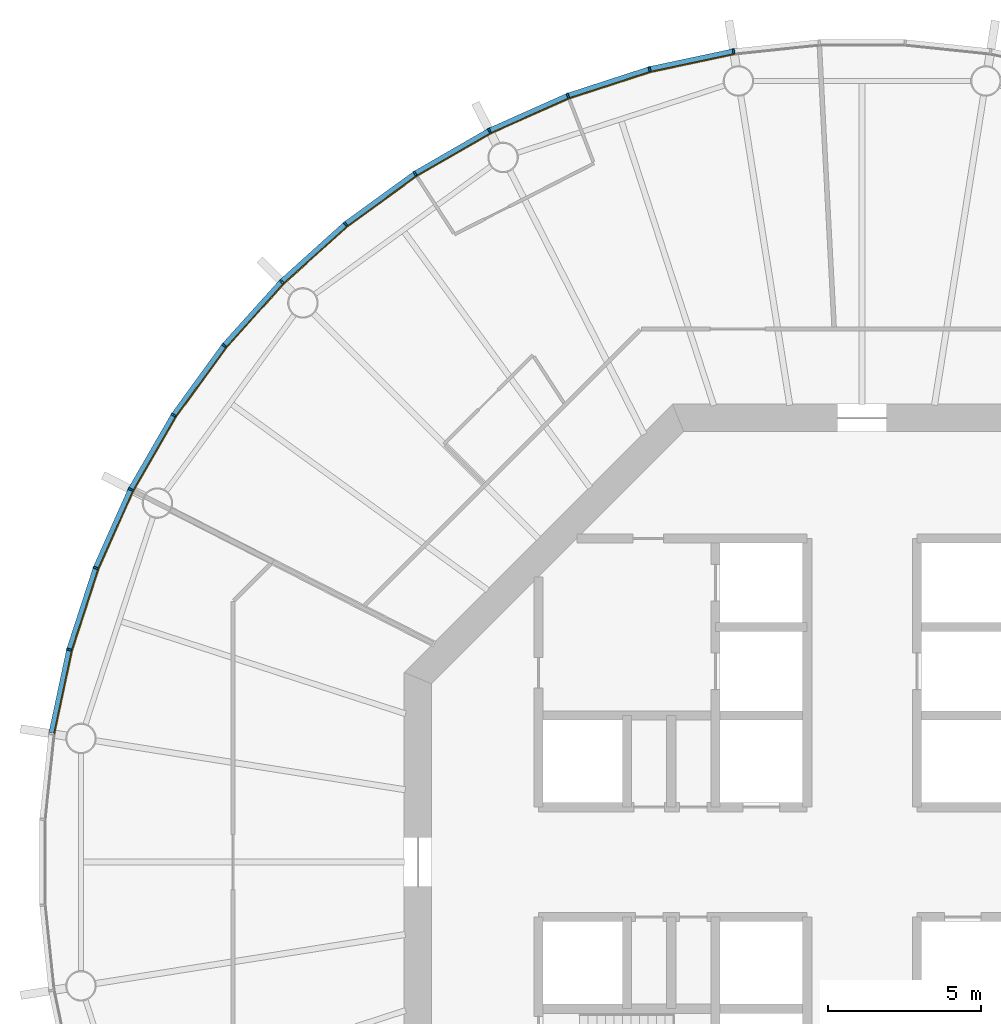
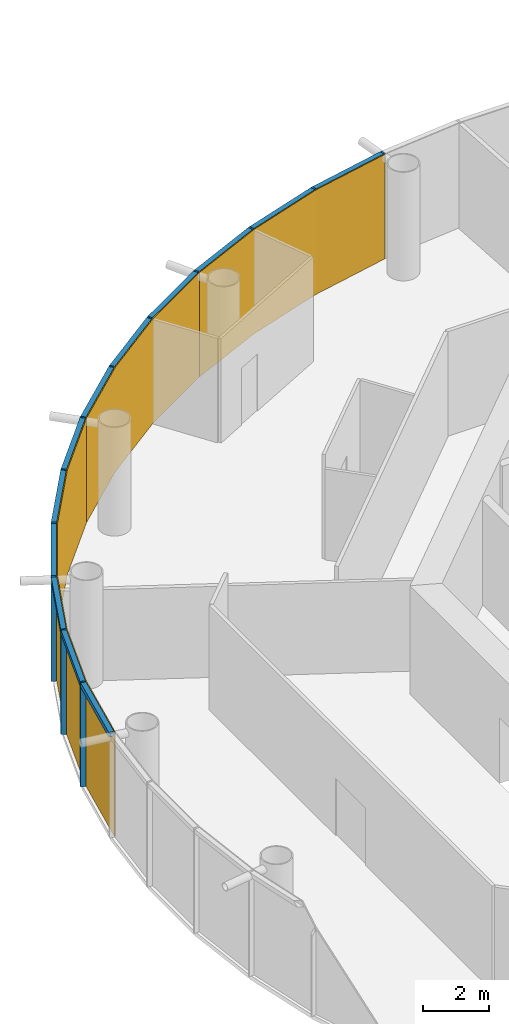
# One storey, part 9 of 12: 24 members, 4 curtain walls.
"""IFC4 building model written with IfcOpenShell, lengths in metres."""

from ifc_helpers import new_model, si_unit, direction, frame, origin, origin_2d, place, context, subcontext, project, spatial, polyline, rectangle, outline, extrude, material, layer, layer_set, material_profile, profile_set, type_object, element, aggregate, save


model = new_model("IFC4")

# Units and contexts
model_context = context("Model", 3, precision=1e-05, world=origin(), true_north=direction((0.0, 1.0)))
body_context = subcontext(model_context, "Body", "Model", "MODEL_VIEW")
ifc_project = project(units=[si_unit("LENGTHUNIT", "METRE"), si_unit("AREAUNIT", "SQUARE_METRE"), si_unit("VOLUMEUNIT", "CUBIC_METRE"), si_unit("PLANEANGLEUNIT", "RADIAN"), si_unit("MASSUNIT", "GRAM", prefix="KILO")], contexts=[model_context])

# Member
ifc_material_1 = material(Name="Anodised aluminium", Category="aluminium")
ifc_material_profile_1 = material_profile(ifc_material_1, rectangle(XDim=0.06005859375, YDim=0.169921875, at=origin_2d()), Name="Mullion 60 x 170 mm anodised aluminium")
ifc_profile_set_1 = profile_set([ifc_material_profile_1], Name="Anodised aluminium")
member_type_1 = type_object("IfcMemberType", Name="Mullion 60 x 170 mm anodised aluminium", PredefinedType="MULLION", material=ifc_profile_set_1)
site_placement = place(None, origin())
building_placement = place(site_placement, origin())
storey_placement = place(building_placement, frame((0.0, 0.0, 246.0)))
member_1_placement = place(storey_placement, frame((85.794189453125, 106.553955078125, 0.0), z_axis=(0.0, 0.0, 1.0), x_axis=(-0.987688340595, -0.15643446504, 0.0)))
member_1 = element("IfcMember", 1, at=member_1_placement, type_object=member_type_1, Name="MULLION L56-15", PredefinedType="MULLION", context=body_context, shape_type="SweptSolid", body=[
    extrude(rectangle(XDim=0.06005859375, YDim=0.169921875, at=origin_2d()), origin(), (0.0, 0.0, 1.0), 3.85009765625),
])

member_2_placement = place(storey_placement, frame((83.041748046875, 105.968994140625, 0.0), z_axis=(0.0, 0.0, 1.0), x_axis=(-0.965925826289, -0.258819045103, 0.0)))
member_2 = element("IfcMember", 2, at=member_2_placement, type_object=member_type_1, Name="MULLION L56-16", PredefinedType="MULLION", context=body_context, shape_type="SweptSolid", body=[
    extrude(rectangle(XDim=0.06005859375, YDim=0.169921875, at=origin_2d()), origin(), (0.0, 0.0, 1.0), 3.85009765625),
])

member_3_placement = place(storey_placement, frame((80.365234375, 105.099365234375, 0.0), z_axis=(0.0, 0.0, 1.0), x_axis=(-0.933580426497, -0.358367949545, 0.0)))
member_3 = element("IfcMember", 3, at=member_3_placement, type_object=member_type_1, Name="MULLION L56-17", PredefinedType="MULLION", context=body_context, shape_type="SweptSolid", body=[
    extrude(rectangle(XDim=0.06005859375, YDim=0.169921875, at=origin_2d()), origin(), (0.0, 0.0, 1.0), 3.85009765625),
])

member_4_placement = place(storey_placement, frame((77.79443359375, 103.95458984375, 0.0), z_axis=(0.0, 0.0, 1.0), x_axis=(-0.891006524188, -0.45399049974, 0.0)))
member_4 = element("IfcMember", 4, at=member_4_placement, type_object=member_type_1, Name="MULLION L56-18", PredefinedType="MULLION", context=body_context, shape_type="SweptSolid", body=[
    extrude(rectangle(XDim=0.06005859375, YDim=0.169921875, at=origin_2d()), origin(), (0.0, 0.0, 1.0), 3.85009765625),
])

member_5_placement = place(storey_placement, frame((75.357421875, 102.547607421875, 0.0), z_axis=(0.0, 0.0, 1.0), x_axis=(-0.838670567945, -0.544639035015, 0.0)))
member_5 = element("IfcMember", 5, at=member_5_placement, type_object=member_type_1, Name="MULLION L56-19", PredefinedType="MULLION", context=body_context, shape_type="SweptSolid", body=[
    extrude(rectangle(XDim=0.06005859375, YDim=0.169921875, at=origin_2d()), origin(), (0.0, 0.0, 1.0), 3.85009765625),
])

member_6_placement = place(storey_placement, frame((73.080810546875, 100.8935546875, 0.0), z_axis=(0.0, 0.0, 1.0), x_axis=(-0.777145961457, -0.62932039105, 0.0)))
member_6 = element("IfcMember", 6, at=member_6_placement, type_object=member_type_1, Name="MULLION L56-20", PredefinedType="MULLION", context=body_context, shape_type="SweptSolid", body=[
    extrude(rectangle(XDim=0.06005859375, YDim=0.169921875, at=origin_2d()), origin(), (0.0, 0.0, 1.0), 3.85009765625),
])

member_7_placement = place(storey_placement, frame((70.989501953125, 99.010498046875, 0.0), z_axis=(0.0, 0.0, 1.0), x_axis=(-0.707106781187, -0.707106781187, 0.0)))
member_7 = element("IfcMember", 7, at=member_7_placement, type_object=member_type_1, Name="MULLION L56-21", PredefinedType="MULLION", context=body_context, shape_type="SweptSolid", body=[
    extrude(rectangle(XDim=0.06005859375, YDim=0.169921875, at=origin_2d()), origin(), (0.0, 0.0, 1.0), 3.85009765625),
])

member_8_placement = place(storey_placement, frame((69.1064453125, 96.919189453125, 0.0), z_axis=(0.0, 0.0, 1.0), x_axis=(-0.62932039105, -0.777145961457, 0.0)))
member_8 = element("IfcMember", 8, at=member_8_placement, type_object=member_type_1, Name="MULLION L56-22", PredefinedType="MULLION", context=body_context, shape_type="SweptSolid", body=[
    extrude(rectangle(XDim=0.06005859375, YDim=0.169921875, at=origin_2d()), origin(), (0.0, 0.0, 1.0), 3.85009765625),
])

member_9_placement = place(storey_placement, frame((67.452392578125, 94.642578125, 0.0), z_axis=(0.0, 0.0, 1.0), x_axis=(-0.544639035015, -0.838670567945, 0.0)))
member_9 = element("IfcMember", 9, at=member_9_placement, type_object=member_type_1, Name="MULLION L56-23", PredefinedType="MULLION", context=body_context, shape_type="SweptSolid", body=[
    extrude(rectangle(XDim=0.06005859375, YDim=0.169921875, at=origin_2d()), origin(), (0.0, 0.0, 1.0), 3.85009765625),
])

member_10_placement = place(storey_placement, frame((66.04541015625, 92.20556640625, 0.0), z_axis=(0.0, 0.0, 1.0), x_axis=(-0.45399049974, -0.891006524188, 0.0)))
member_10 = element("IfcMember", 10, at=member_10_placement, type_object=member_type_1, Name="MULLION L56-24", PredefinedType="MULLION", context=body_context, shape_type="SweptSolid", body=[
    extrude(rectangle(XDim=0.06005859375, YDim=0.169921875, at=origin_2d()), origin(), (0.0, 0.0, 1.0), 3.85009765625),
])

member_11_placement = place(storey_placement, frame((64.900634765625, 89.634765625, 0.0), z_axis=(0.0, 0.0, 1.0), x_axis=(-0.358367949545, -0.933580426497, 0.0)))
member_11 = element("IfcMember", 11, at=member_11_placement, type_object=member_type_1, Name="MULLION L56-25", PredefinedType="MULLION", context=body_context, shape_type="SweptSolid", body=[
    extrude(rectangle(XDim=0.06005859375, YDim=0.169921875, at=origin_2d()), origin(), (0.0, 0.0, 1.0), 3.85009765625),
])

member_12_placement = place(storey_placement, frame((64.031005859375, 86.958251953125, 0.0), z_axis=(0.0, 0.0, 1.0), x_axis=(-0.258819045103, -0.965925826289, 0.0)))
member_12 = element("IfcMember", 12, at=member_12_placement, type_object=member_type_1, Name="MULLION L56-26", PredefinedType="MULLION", context=body_context, shape_type="SweptSolid", body=[
    extrude(rectangle(XDim=0.06005859375, YDim=0.169921875, at=origin_2d()), origin(), (0.0, 0.0, 1.0), 3.85009765625),
])

ifc_material_2 = material(Name="Anodised aluminium", Category="aluminium")
ifc_material_profile_2 = material_profile(ifc_material_2, rectangle(XDim=0.169921875, YDim=0.1650390625, at=origin_2d()), Name="Transom 165 x 170 mm anodised aluminium")
ifc_profile_set_2 = profile_set([ifc_material_profile_2], Name="Anodised aluminium")
member_type_2 = type_object("IfcMemberType", Name="Transom 165 x 170 mm anodised aluminium", PredefinedType="USERDEFINED", material=ifc_profile_set_2)
member_13_placement = place(storey_placement, frame((85.760498046875, 106.546875, 3.767578125), z_axis=(-0.97814212115, -0.207937468562, 0.0), x_axis=(0.207937468562, -0.97814212115, 0.0)))
member_13 = element("IfcMember", 13, at=member_13_placement, type_object=member_type_2, Name="TRANSOM L56-15", ObjectType="TRANSOM", PredefinedType="USERDEFINED", context=body_context, shape_type="SweptSolid", body=[
    extrude(rectangle(XDim=0.169921875, YDim=0.1650390625, at=origin_2d()), origin(), (0.0, 0.0, 1.0), 2.7451171875),
])

member_14_placement = place(storey_placement, frame((83.0087890625, 105.95849609375, 3.767578125), z_axis=(-0.951048445774, -0.309041831781, 0.0), x_axis=(0.309041831781, -0.951048445774, 0.0)))
member_14 = element("IfcMember", 14, at=member_14_placement, type_object=member_type_2, Name="TRANSOM L56-16", ObjectType="TRANSOM", PredefinedType="USERDEFINED", context=body_context, shape_type="SweptSolid", body=[
    extrude(rectangle(XDim=0.169921875, YDim=0.1650390625, at=origin_2d()), origin(), (0.0, 0.0, 1.0), 2.7451171875),
])

member_15_placement = place(storey_placement, frame((80.333740234375, 105.08544921875, 3.767578125), z_axis=(-0.913525267704, -0.406781987391, 0.0), x_axis=(0.406781987391, -0.913525267704, 0.0)))
member_15 = element("IfcMember", 15, at=member_15_placement, type_object=member_type_2, Name="TRANSOM L56-17", ObjectType="TRANSOM", PredefinedType="USERDEFINED", context=body_context, shape_type="SweptSolid", body=[
    extrude(rectangle(XDim=0.169921875, YDim=0.1650390625, at=origin_2d()), origin(), (0.0, 0.0, 1.0), 2.7451171875),
])

member_16_placement = place(storey_placement, frame((77.7646484375, 103.9375, 3.767578125), z_axis=(-0.866034527326, -0.49998419723, 0.0), x_axis=(0.49998419723, -0.866034527326, 0.0)))
member_16 = element("IfcMember", 16, at=member_16_placement, type_object=member_type_2, Name="TRANSOM L56-18", ObjectType="TRANSOM", PredefinedType="USERDEFINED", context=body_context, shape_type="SweptSolid", body=[
    extrude(rectangle(XDim=0.169921875, YDim=0.1650390625, at=origin_2d()), origin(), (0.0, 0.0, 1.0), 2.7451171875),
])

member_17_placement = place(storey_placement, frame((75.329345703125, 102.527587890625, 3.767578125), z_axis=(-0.808959086484, -0.587864947412, 0.0), x_axis=(0.587864947412, -0.808959086484, 0.0)))
member_17 = element("IfcMember", 17, at=member_17_placement, type_object=member_type_2, Name="TRANSOM L56-19", ObjectType="TRANSOM", PredefinedType="USERDEFINED", context=body_context, shape_type="SweptSolid", body=[
    extrude(rectangle(XDim=0.169921875, YDim=0.1650390625, at=origin_2d()), origin(), (0.0, 0.0, 1.0), 2.7451171875),
])

member_18_placement = place(storey_placement, frame((73.054931640625, 100.87060546875, 3.767578125), z_axis=(-0.743134927907, -0.669141598561, 0.0), x_axis=(0.669141598561, -0.743134927907, 0.0)))
member_18 = element("IfcMember", 18, at=member_18_placement, type_object=member_type_2, Name="TRANSOM L56-20", ObjectType="TRANSOM", PredefinedType="USERDEFINED", context=body_context, shape_type="SweptSolid", body=[
    extrude(rectangle(XDim=0.169921875, YDim=0.1650390625, at=origin_2d()), origin(), (0.0, 0.0, 1.0), 2.7451171875),
])

member_19_placement = place(storey_placement, frame((70.96630859375, 98.985107421875, 3.767578125), z_axis=(-0.669141598561, -0.743134927907, 0.0), x_axis=(0.743134927907, -0.669141598561, 0.0)))
member_19 = element("IfcMember", 19, at=member_19_placement, type_object=member_type_2, Name="TRANSOM L56-21", ObjectType="TRANSOM", PredefinedType="USERDEFINED", context=body_context, shape_type="SweptSolid", body=[
    extrude(rectangle(XDim=0.169921875, YDim=0.1650390625, at=origin_2d()), origin(), (0.0, 0.0, 1.0), 2.7451171875),
])

member_20_placement = place(storey_placement, frame((69.086181640625, 96.891357421875, 3.767578125), z_axis=(-0.587864947412, -0.808959086484, 0.0), x_axis=(0.808959086484, -0.587864947412, 0.0)))
member_20 = element("IfcMember", 20, at=member_20_placement, type_object=member_type_2, Name="TRANSOM L56-22", ObjectType="TRANSOM", PredefinedType="USERDEFINED", context=body_context, shape_type="SweptSolid", body=[
    extrude(rectangle(XDim=0.169921875, YDim=0.1650390625, at=origin_2d()), origin(), (0.0, 0.0, 1.0), 2.7451171875),
])

member_21_placement = place(storey_placement, frame((67.43505859375, 94.61279296875, 3.767578125), z_axis=(-0.49998419723, -0.866034527326, 0.0), x_axis=(0.866034527326, -0.49998419723, 0.0)))
member_21 = element("IfcMember", 21, at=member_21_placement, type_object=member_type_2, Name="TRANSOM L56-23", ObjectType="TRANSOM", PredefinedType="USERDEFINED", context=body_context, shape_type="SweptSolid", body=[
    extrude(rectangle(XDim=0.169921875, YDim=0.1650390625, at=origin_2d()), origin(), (0.0, 0.0, 1.0), 2.7451171875),
])

member_22_placement = place(storey_placement, frame((66.03125, 92.174072265625, 3.767578125), z_axis=(-0.406781987391, -0.913525267704, 0.0), x_axis=(0.913525267704, -0.406781987391, 0.0)))
member_22 = element("IfcMember", 22, at=member_22_placement, type_object=member_type_2, Name="TRANSOM L56-24", ObjectType="TRANSOM", PredefinedType="USERDEFINED", context=body_context, shape_type="SweptSolid", body=[
    extrude(rectangle(XDim=0.169921875, YDim=0.1650390625, at=origin_2d()), origin(), (0.0, 0.0, 1.0), 2.7451171875),
])

member_23_placement = place(storey_placement, frame((64.889892578125, 89.60205078125, 3.767578125), z_axis=(-0.309041831781, -0.951048445774, 0.0), x_axis=(0.951048445774, -0.309041831781, 0.0)))
member_23 = element("IfcMember", 23, at=member_23_placement, type_object=member_type_2, Name="TRANSOM L56-25", ObjectType="TRANSOM", PredefinedType="USERDEFINED", context=body_context, shape_type="SweptSolid", body=[
    extrude(rectangle(XDim=0.169921875, YDim=0.1650390625, at=origin_2d()), origin(), (0.0, 0.0, 1.0), 2.7451171875),
])

member_24_placement = place(storey_placement, frame((64.02392578125, 86.924560546875, 3.767578125), z_axis=(-0.207937468562, -0.97814212115, 0.0), x_axis=(0.97814212115, -0.207937468562, 0.0)))
member_24 = element("IfcMember", 24, at=member_24_placement, type_object=member_type_2, Name="TRANSOM L56-26", ObjectType="TRANSOM", PredefinedType="USERDEFINED", context=body_context, shape_type="SweptSolid", body=[
    extrude(rectangle(XDim=0.169921875, YDim=0.1650390625, at=origin_2d()), origin(), (0.0, 0.0, 1.0), 2.7451171875),
])

# Site, building, storey
site = spatial("IfcSite", under=ifc_project, at=site_placement, CompositionType="ELEMENT")
building = spatial("IfcBuilding", under=site, at=building_placement, Name="Entoto Ring Tower", CompositionType="ELEMENT")
storey = spatial("IfcBuildingStorey", under=building, at=storey_placement, Name="L56", CompositionType="ELEMENT", Elevation=246.0)

# Curtain wall
ifc_material_3 = material(Name="Clear low-iron glass", Category="glass")
ifc_layer = layer(ifc_material_3, 0.031982421875)
ifc_layer_set = layer_set([ifc_layer], Name="Clear low-iron glass")
curtain_wall_type = type_object("IfcCurtainWallType", Name="Curtain wall system CW4 glazing 32 mm", PredefinedType="NOTDEFINED", material=ifc_layer_set)
curtain_wall_1_placement = place(storey_placement, origin())
curtain_wall_1 = element("IfcCurtainWall", 25, at=curtain_wall_1_placement, inside=storey, type_object=curtain_wall_type, Name="CW4 L56-06", PredefinedType="NOTDEFINED", context=body_context, shape_type="SweptSolid", body=[
    extrude(outline(polyline([(85.8076171875, 106.469970703125), (83.063720703125, 105.88671875), (80.395751953125, 105.02001953125), (77.8330078125, 103.87890625), (77.84765625, 103.850341796875), (80.4072265625, 104.989990234375), (83.072021484375, 105.85595703125), (85.8125, 106.4384765625), (85.8076171875, 106.469970703125)])), origin(), (0.0, 0.0, 1.0), 3.85009765625),
])

aggregate(curtain_wall_1, [member_1, member_2, member_3, member_13, member_14, member_15])

curtain_wall_2_placement = place(storey_placement, origin())
curtain_wall_2 = element("IfcCurtainWall", 26, at=curtain_wall_2_placement, inside=storey, type_object=curtain_wall_type, Name="CW4 L56-07", PredefinedType="NOTDEFINED", context=body_context, shape_type="SweptSolid", body=[
    extrude(outline(polyline([(77.8330078125, 103.87890625), (75.403564453125, 102.476318359375), (73.13427734375, 100.827392578125), (71.049560546875, 98.950439453125), (71.072265625, 98.927734375), (73.154296875, 100.802490234375), (75.421142578125, 102.449462890625), (77.84765625, 103.850341796875), (77.8330078125, 103.87890625)])), origin(), (0.0, 0.0, 1.0), 3.85009765625),
])

aggregate(curtain_wall_2, [member_4, member_5, member_6, member_16, member_17, member_18])

curtain_wall_3_placement = place(storey_placement, origin())
curtain_wall_3 = element("IfcCurtainWall", 27, at=curtain_wall_3_placement, inside=storey, type_object=curtain_wall_type, Name="CW4 L56-08", PredefinedType="NOTDEFINED", context=body_context, shape_type="SweptSolid", body=[
    extrude(outline(polyline([(71.049560546875, 98.950439453125), (69.172607421875, 96.86572265625), (67.523681640625, 94.596435546875), (66.12109375, 92.1669921875), (66.149658203125, 92.15234375), (67.550537109375, 94.578857421875), (69.197509765625, 96.845703125), (71.072265625, 98.927734375), (71.049560546875, 98.950439453125)])), origin(), (0.0, 0.0, 1.0), 3.85009765625),
])

aggregate(curtain_wall_3, [member_7, member_8, member_9, member_19, member_20, member_21])

curtain_wall_4_placement = place(storey_placement, origin())
curtain_wall_4 = element("IfcCurtainWall", 28, at=curtain_wall_4_placement, inside=storey, type_object=curtain_wall_type, Name="CW4 L56-09", PredefinedType="NOTDEFINED", context=body_context, shape_type="SweptSolid", body=[
    extrude(outline(polyline([(66.12109375, 92.1669921875), (64.97998046875, 89.604248046875), (64.11328125, 86.936279296875), (63.530029296875, 84.1923828125), (63.5615234375, 84.1875), (64.14404296875, 86.927978515625), (65.010009765625, 89.5927734375), (66.149658203125, 92.15234375), (66.12109375, 92.1669921875)])), origin(), (0.0, 0.0, 1.0), 3.85009765625),
])

aggregate(curtain_wall_4, [member_10, member_11, member_12, member_22, member_23, member_24])

save(model, "model.ifc")
